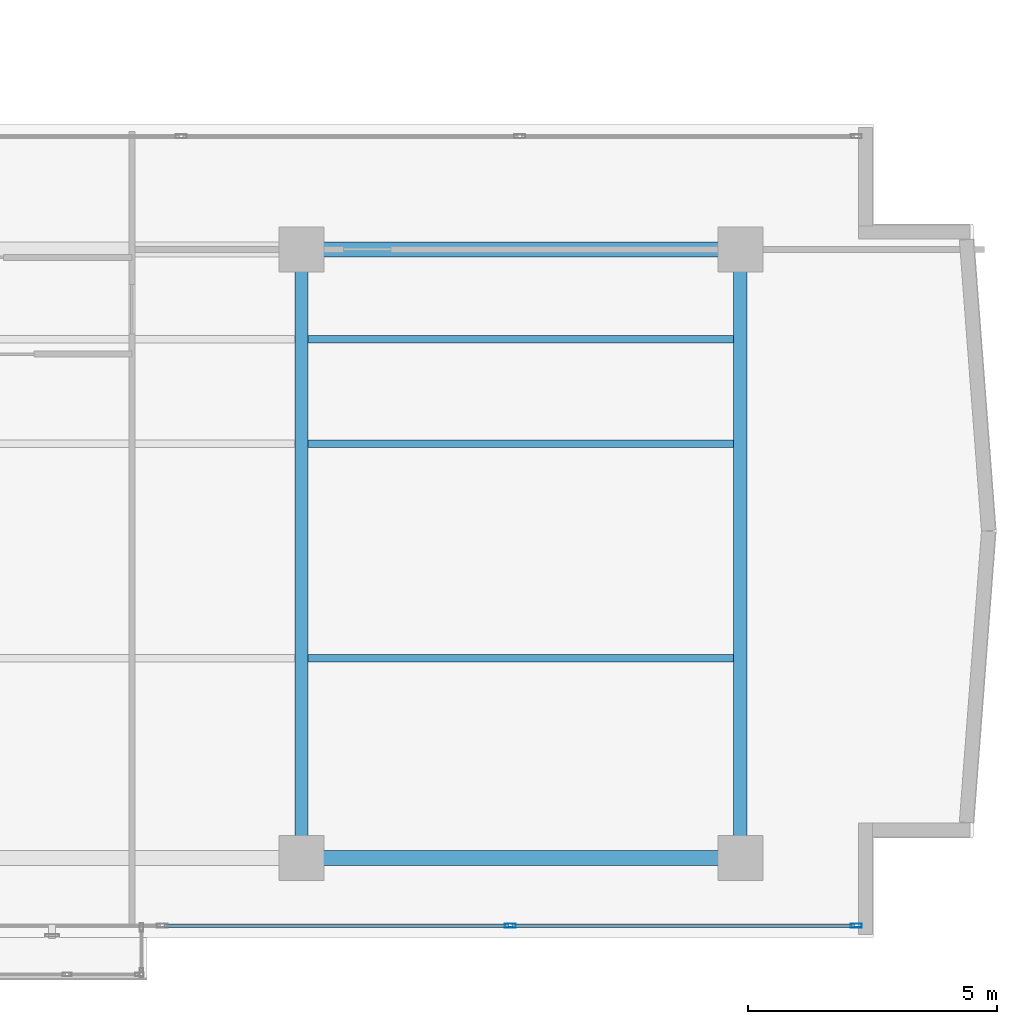
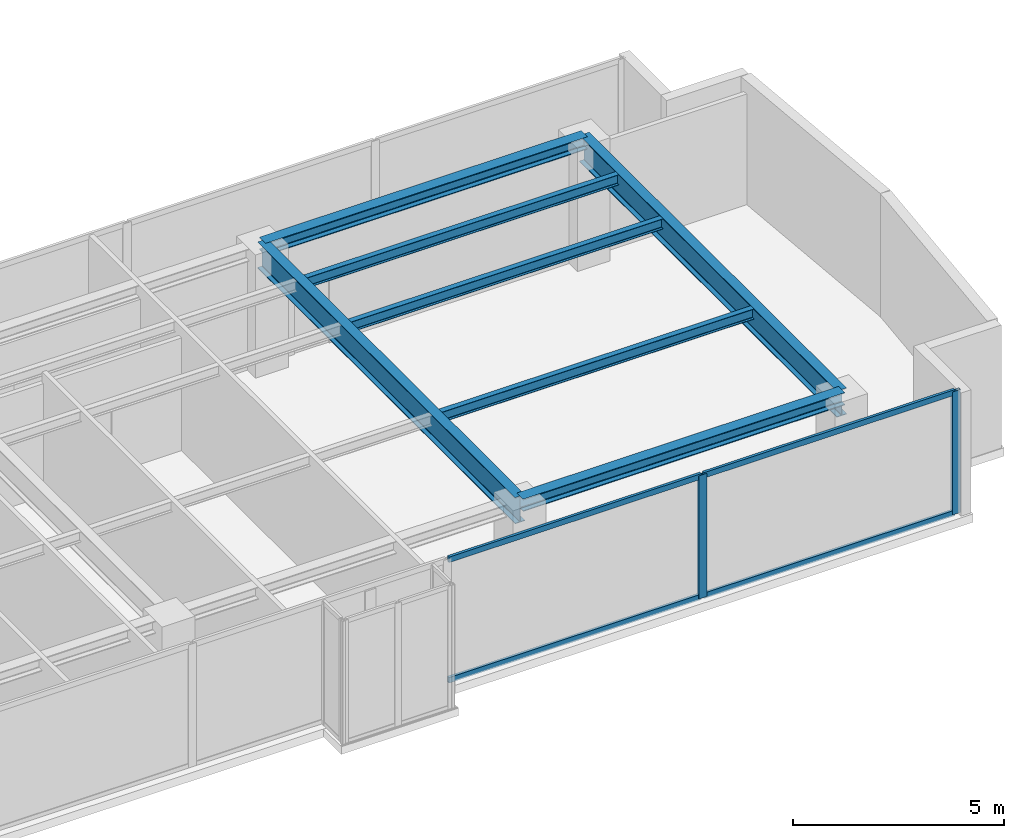
# One storey, part 11 of 23: 7 beams, 6 members, 1 element without a shape of its own.
"""IFC4 building model written with IfcOpenShell, lengths in metres."""

from ifc_helpers import new_model, si_unit, direction, frame, origin, origin_with_axes, origin_2d, place, context, subcontext, project, spatial, hollow_rectangle, i_section, extrude, source, transform, mapped, material, layer, layer_set, material_profile, profile_set, type_object, element, aggregate, save


model = new_model("IFC4")

# Units and contexts
model_context = context("Model", 3, precision=1e-05, world=origin(), true_north=direction((0.0, 1.0)))
body_context = subcontext(model_context, "Body", "Model", "MODEL_VIEW")
ifc_project = project(units=[si_unit("LENGTHUNIT", "METRE"), si_unit("AREAUNIT", "SQUARE_METRE"), si_unit("VOLUMEUNIT", "CUBIC_METRE"), si_unit("PLANEANGLEUNIT", "RADIAN"), si_unit("MASSUNIT", "GRAM", prefix="KILO")], contexts=[model_context])

# Site, building, storey
site_placement = place(None, origin())
site = spatial("IfcSite", under=ifc_project, at=site_placement, CompositionType="ELEMENT")
building_placement = place(site_placement, origin())
building = spatial("IfcBuilding", under=site, at=building_placement, Name="Kolvaren Waterfront Exchange", CompositionType="ELEMENT")
storey_placement = place(building_placement, frame((0.0, 0.0, 297.0)))
storey = spatial("IfcBuildingStorey", under=building, at=storey_placement, Name="L76", CompositionType="ELEMENT", Elevation=297.0)

# Beams
ifc_material_1 = material(Name="Steel S355", Category="steel")
ifc_material_profile_1 = material_profile(ifc_material_1, i_section(OverallWidth=0.300048828125, OverallDepth=0.360107421875, WebThickness=0.012451171875, FlangeThickness=0.0224609375, FilletRadius=0.027099609375, at=origin_2d()), Name="HEB360")
ifc_profile_set_1 = profile_set([ifc_material_profile_1], Name="Steel S355")
beam_type_1 = type_object("IfcBeamType", Name="STR-BM-HEB360", PredefinedType="SPANDREL", material=ifc_profile_set_1)
for number, where, z_axis, x_axis, name in (
    (1, (36.800048828125, 5.199951171875, 3.3798828125), (1.0, 0.0, 0.0), (0.0, 1.0, 0.0), "L76 east-arm spandrel S3"),
    (2, (36.800048828125, 17.39990234375, 3.3798828125), (1.0, 0.0, 0.0), (0.0, 1.0, 0.0), "L76 east-arm spandrel N3"),
):
    element("IfcBeam", number, at=place(storey_placement, frame(where, z_axis=z_axis, x_axis=x_axis)), inside=storey, type_object=beam_type_1, Name=name, PredefinedType="SPANDREL", context=body_context, shape_type="SweptSolid", body=[
        extrude(i_section(OverallWidth=0.300048828125, OverallDepth=0.360107421875, WebThickness=0.012451171875, FlangeThickness=0.0224609375, FilletRadius=0.027099609375, at=origin_2d()), origin(), (0.0, 0.0, 1.0), 8.800048828125),
    ])
ifc_material_profile_2 = material_profile(ifc_material_1, i_section(OverallWidth=0.14990234375, OverallDepth=0.300048828125, WebThickness=0.007080078125, FlangeThickness=0.0107421875, FilletRadius=0.014892578125, at=origin_2d()), Name="IPE300")
ifc_profile_set_2 = profile_set([ifc_material_profile_2], Name="Steel S355")
beam_type_2 = type_object("IfcBeamType", Name="STR-BM-IPE300", PredefinedType="JOIST", material=ifc_profile_set_2)
for number, where, z_axis, x_axis, name in (
    (3, (36.935546875, 13.5, 3.409912109375), (1.0, 0.0, 0.0), (0.0, 1.0, 0.0), "L76 east-arm composite joist 3A"),
    (4, (36.935546875, 15.60009765625, 3.409912109375), (1.0, 0.0, 0.0), (0.0, 1.0, 0.0), "L76 east-arm composite joist 3C"),
    (5, (36.935546875, 9.199951171875, 3.409912109375), (1.0, 0.0, 0.0), (0.0, 1.0, 0.0), "L76 east-arm composite joist 3B"),
):
    element("IfcBeam", number, at=place(storey_placement, frame(where, z_axis=z_axis, x_axis=x_axis)), inside=storey, type_object=beam_type_2, Name=name, PredefinedType="JOIST", context=body_context, shape_type="SweptSolid", body=[
        extrude(i_section(OverallWidth=0.14990234375, OverallDepth=0.300048828125, WebThickness=0.007080078125, FlangeThickness=0.0107421875, FilletRadius=0.014892578125, at=origin_2d()), origin(), (0.0, 0.0, 1.0), 8.529052734375),
    ])
ifc_material_profile_3 = material_profile(ifc_material_1, i_section(OverallWidth=0.26708984375, OverallDepth=0.761962890625, WebThickness=0.014404296875, FlangeThickness=0.021484375, FilletRadius=0.01708984375, at=origin_2d()), Name="IPE750x173")
ifc_profile_set_3 = profile_set([ifc_material_profile_3], Name="Steel S355")
beam_type_3 = type_object("IfcBeamType", Name="STR-BM-IPE750", PredefinedType="BEAM", material=ifc_profile_set_3)
for number, where, z_axis, x_axis, name in (
    (6, (36.800048828125, 5.199951171875, 3.178955078125), (0.0, 1.0, 0.0), (-1.0, 0.0, 0.0), "L76 east-arm transverse girder X36"),
    (7, (45.60009765625, 5.199951171875, 3.178955078125), (0.0, 1.0, 0.0), (-1.0, 0.0, 0.0), "L76 east-arm transverse girder X45"),
):
    element("IfcBeam", number, at=place(storey_placement, frame(where, z_axis=z_axis, x_axis=x_axis)), inside=storey, type_object=beam_type_3, Name=name, PredefinedType="BEAM", context=body_context, shape_type="SweptSolid", body=[
        extrude(i_section(OverallWidth=0.26708984375, OverallDepth=0.761962890625, WebThickness=0.014404296875, FlangeThickness=0.021484375, FilletRadius=0.01708984375, at=origin_2d()), origin(), (0.0, 0.0, 1.0), 12.199951171875),
    ])

# Curtain wall, members
ifc_material_2 = material(Name="Anodised bronze aluminium 6063-T6", Category="aluminium")
ifc_layer = layer(ifc_material_2, 0.219970703125, Name="Anodised bronze aluminium 6063-T6")
ifc_layer_set = layer_set([ifc_layer], Name="Anodised bronze aluminium 6063-T6")
curtain_wall_type = type_object("IfcCurtainWallType", Name="ARC-CW-SYS1", PredefinedType="USERDEFINED", material=ifc_layer_set)
curtain_wall_placement = place(storey_placement, origin())
curtain_wall = element("IfcCurtainWall", 8, at=curtain_wall_placement, inside=storey, type_object=curtain_wall_type, Name="L76 stick curtain wall CW1 (CW-L76-S)", ObjectType="STICK CURTAIN WALL", PredefinedType="USERDEFINED")
ifc_material_3 = material(Name="Anodised aluminium 6063-T6", Category="aluminium")
ifc_material_profile_4 = material_profile(ifc_material_3, hollow_rectangle(XDim=0.080078125, YDim=0.219970703125, WallThickness=0.0048828125, at=origin_2d()), Name="ALU-MUL-220x80x5")
ifc_profile_set_4 = profile_set([ifc_material_profile_4], Name="Anodised aluminium 6063-T6")
member_type_1 = type_object("IfcMemberType", Name="ARC-CWM-220", PredefinedType="MULLION", material=ifc_profile_set_4)
shared_shape_1 = source(origin_with_axes(), body_context, "Body", "SweptSolid", [
    extrude(hollow_rectangle(XDim=0.080078125, YDim=0.219970703125, WallThickness=0.0048828125, at=origin_2d()), origin(), (0.0, 0.0, 1.0), 3.56005859375),
])
member_1_placement = place(storey_placement, frame((40.990234375, 3.840087890625, 0.0), z_axis=(0.0, 0.0, 1.0), x_axis=(0.0, 1.0, 0.0)))
member_1 = element("IfcMember", 9, at=member_1_placement, type_object=member_type_1, Name="CW1 mullion 6", PredefinedType="MULLION", context=body_context, shape_type="MappedRepresentation", body=[
    mapped(shared_shape_1, transform((0.0, 0.0, 0.0), x_axis=(1.0, 0.0, 0.0), y_axis=(0.0, 1.0, 0.0), z_axis=(0.0, 0.0, 1.0), scale=1.0)),
])
member_2_placement = place(storey_placement, frame((47.928466796875, 3.840087890625, 0.0), z_axis=(0.0, 0.0, 1.0), x_axis=(0.0, 1.0, 0.0)))
member_2 = element("IfcMember", 10, at=member_2_placement, type_object=member_type_1, Name="CW1 mullion 7", PredefinedType="MULLION", context=body_context, shape_type="MappedRepresentation", body=[
    mapped(shared_shape_1, transform((0.0, 0.0, 0.0), x_axis=(1.0, 0.0, 0.0), y_axis=(0.0, 1.0, 0.0), z_axis=(0.0, 0.0, 1.0), scale=1.0)),
])
ifc_material_profile_5 = material_profile(ifc_material_3, hollow_rectangle(XDim=0.074951171875, YDim=0.159912109375, WallThickness=0.00439453125, at=origin_2d()), Name="ALU-TRN-160x75x4.5")
ifc_profile_set_5 = profile_set([ifc_material_profile_5], Name="Anodised aluminium 6063-T6")
member_type_2 = type_object("IfcMemberType", Name="ARC-CWT-160", PredefinedType="USERDEFINED", material=ifc_profile_set_5)
shared_shape_2 = source(origin_with_axes(), body_context, "Body", "SweptSolid", [
    extrude(hollow_rectangle(XDim=0.074951171875, YDim=0.159912109375, WallThickness=0.00439453125, at=origin_2d()), origin(), (0.0, 0.0, 1.0), 6.858154296875),
])
member_3_placement = place(storey_placement, frame((41.0302734375, 3.840087890625, 0.03759765625), z_axis=(1.0, 0.0, 0.0), x_axis=(0.0, 1.0, 0.0)))
member_3 = element("IfcMember", 11, at=member_3_placement, type_object=member_type_2, Name="CW1 transom 6.1", ObjectType="TRANSOM", PredefinedType="USERDEFINED", context=body_context, shape_type="MappedRepresentation", body=[
    mapped(shared_shape_2, transform((0.0, 0.0, 0.0), x_axis=(1.0, 0.0, 0.0), y_axis=(0.0, 1.0, 0.0), z_axis=(0.0, 0.0, 1.0), scale=1.0)),
])
member_4_placement = place(storey_placement, frame((41.0302734375, 3.840087890625, 3.5224609375), z_axis=(1.0, 0.0, 0.0), x_axis=(0.0, 1.0, 0.0)))
member_4 = element("IfcMember", 12, at=member_4_placement, type_object=member_type_2, Name="CW1 transom 6.2", ObjectType="TRANSOM", PredefinedType="USERDEFINED", context=body_context, shape_type="MappedRepresentation", body=[
    mapped(shared_shape_2, transform((0.0, 0.0, 0.0), x_axis=(1.0, 0.0, 0.0), y_axis=(0.0, 1.0, 0.0), z_axis=(0.0, 0.0, 1.0), scale=1.0)),
])
shared_shape_3 = source(origin_with_axes(), body_context, "Body", "SweptSolid", [
    extrude(hollow_rectangle(XDim=0.074951171875, YDim=0.159912109375, WallThickness=0.00439453125, at=origin_2d()), origin(), (0.0, 0.0, 1.0), 6.898193359375),
])
member_5_placement = place(storey_placement, frame((34.05224609375, 3.840087890625, 0.03759765625), z_axis=(1.0, 0.0, 0.0), x_axis=(0.0, 1.0, 0.0)))
member_5 = element("IfcMember", 13, at=member_5_placement, type_object=member_type_2, Name="CW1 transom 5.1", ObjectType="TRANSOM", PredefinedType="USERDEFINED", context=body_context, shape_type="MappedRepresentation", body=[
    mapped(shared_shape_3, transform((0.0, 0.0, 0.0), x_axis=(1.0, 0.0, 0.0), y_axis=(0.0, 1.0, 0.0), z_axis=(0.0, 0.0, 1.0), scale=1.0)),
])
member_6_placement = place(storey_placement, frame((34.05224609375, 3.840087890625, 3.5224609375), z_axis=(1.0, 0.0, 0.0), x_axis=(0.0, 1.0, 0.0)))
member_6 = element("IfcMember", 14, at=member_6_placement, type_object=member_type_2, Name="CW1 transom 5.2", ObjectType="TRANSOM", PredefinedType="USERDEFINED", context=body_context, shape_type="MappedRepresentation", body=[
    mapped(shared_shape_3, transform((0.0, 0.0, 0.0), x_axis=(1.0, 0.0, 0.0), y_axis=(0.0, 1.0, 0.0), z_axis=(0.0, 0.0, 1.0), scale=1.0)),
])
aggregate(curtain_wall, [member_1, member_2, member_5, member_6, member_3, member_4])

save(model, "model.ifc")
